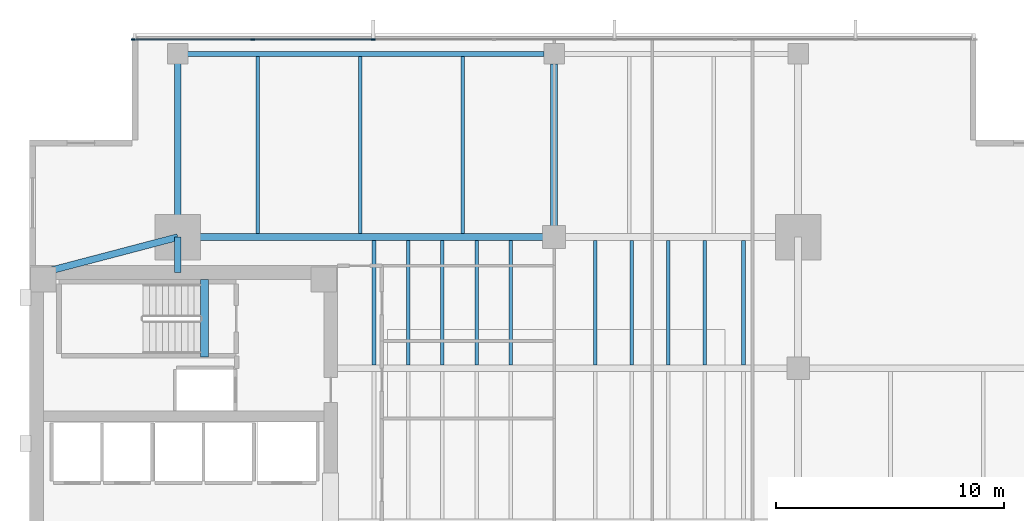
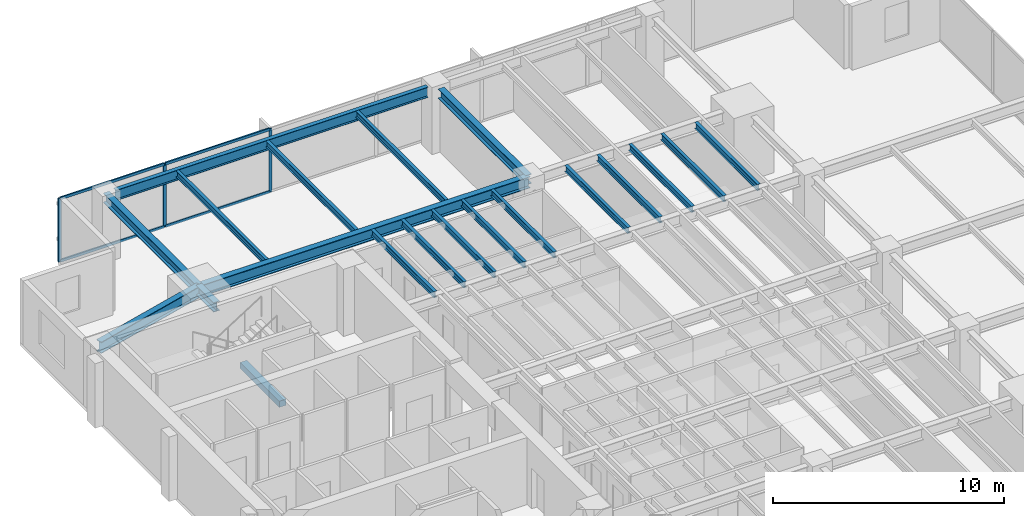
# One storey, part 5 of 14: 20 beams, 7 members, 1 element without a shape of its own.
"""IFC4 building model written with IfcOpenShell, lengths in metres."""

from ifc_helpers import new_model, si_unit, direction, frame, origin, origin_2d, place, context, subcontext, project, spatial, rectangle, i_section, extrude, material, layer, layer_set, material_profile, profile_set, type_object, element, aggregate, save


model = new_model("IFC4")

# Units and contexts
model_context = context("Model", 3, precision=1e-05, world=origin(), true_north=direction((0.0, 1.0)))
body_context = subcontext(model_context, "Body", "Model", "MODEL_VIEW")
ifc_project = project(units=[si_unit("LENGTHUNIT", "METRE"), si_unit("AREAUNIT", "SQUARE_METRE"), si_unit("VOLUMEUNIT", "CUBIC_METRE"), si_unit("PLANEANGLEUNIT", "RADIAN"), si_unit("MASSUNIT", "GRAM", prefix="KILO")], contexts=[model_context])

# Site, building, storey
site_placement = place(None, origin())
site = spatial("IfcSite", under=ifc_project, at=site_placement, CompositionType="ELEMENT")
building_placement = place(site_placement, origin())
building = spatial("IfcBuilding", under=site, at=building_placement, Name="Kinhvarn Gate Tower", CompositionType="ELEMENT")
storey_placement = place(building_placement, frame((0.0, 0.0, 127.10009765625)))
storey = spatial("IfcBuildingStorey", under=building, at=storey_placement, Name="L33", CompositionType="ELEMENT", Elevation=127.10009765625)

# Beam
ifc_material_1 = material(Name="Concrete C50/60", Category="concrete")
ifc_material_profile_1 = material_profile(ifc_material_1, rectangle(XDim=0.340087890625, YDim=0.320068359375, at=origin_2d()), Name="RC 340x320")
ifc_profile_set_1 = profile_set([ifc_material_profile_1], Name="Concrete C50/60")
beam_type_1 = type_object("IfcBeamType", Name="BM-LND-500", PredefinedType="BEAM", material=ifc_profile_set_1)
beam_1_placement = place(storey_placement, frame((12.1650390625, 32.5, -0.16015625), z_axis=(0.0, 1.0, 0.0), x_axis=(-1.0, 0.0, 0.0)))
element("IfcBeam", 1, at=beam_1_placement, inside=storey, type_object=beam_type_1, Name="Stair ST2 Landing Nosing Beam (L33)", PredefinedType="BEAM", context=body_context, shape_type="SweptSolid", body=[
    extrude(rectangle(XDim=0.340087890625, YDim=0.320068359375, at=origin_2d()), origin(), (0.0, 0.0, 1.0), 3.39990234375),
])

# Curtain wall, members
ifc_material_2 = material(Name="Anodised aluminium AW-6063", Category="aluminium")
ifc_layer = layer(ifc_material_2, 0.179931640625)
ifc_layer_set = layer_set([ifc_layer], Name="Anodised aluminium AW-6063")
curtain_wall_type = type_object("IfcCurtainWallType", Name="CW-SYS-3", PredefinedType="NOTDEFINED", material=ifc_layer_set)
curtain_wall_placement = place(storey_placement, origin())
curtain_wall = element("IfcCurtainWall", 2, at=curtain_wall_placement, inside=storey, type_object=curtain_wall_type, Name="Curtain Wall CW3 (L33)", PredefinedType="NOTDEFINED")
ifc_material_profile_2 = material_profile(ifc_material_2, rectangle(XDim=0.06494140625, YDim=0.159912109375, at=origin_2d()), Name="ALU 65x160")
ifc_profile_set_2 = profile_set([ifc_material_profile_2], Name="Anodised aluminium AW-6063")
member_type_1 = type_object("IfcMemberType", Name="CW-MUL-160", PredefinedType="MULLION", material=ifc_profile_set_2)
member_1_placement = place(storey_placement, frame((19.571533203125, 46.409912109375, 0.0), z_axis=(0.0, 0.0, 1.0), x_axis=(0.0, -1.0, 0.0)))
member_1 = element("IfcMember", 3, at=member_1_placement, type_object=member_type_1, Name="CW3 mullion 6", PredefinedType="MULLION", context=body_context, shape_type="SweptSolid", body=[
    extrude(rectangle(XDim=0.06494140625, YDim=0.159912109375, at=origin_2d()), origin(), (0.0, 0.0, 1.0), 3.369873046875),
])
member_2_placement = place(storey_placement, frame((14.28564453125, 46.409912109375, 0.0), z_axis=(0.0, 0.0, 1.0), x_axis=(0.0, -1.0, 0.0)))
member_2 = element("IfcMember", 4, at=member_2_placement, type_object=member_type_1, Name="CW3 mullion 7", PredefinedType="MULLION", context=body_context, shape_type="SweptSolid", body=[
    extrude(rectangle(XDim=0.06494140625, YDim=0.159912109375, at=origin_2d()), origin(), (0.0, 0.0, 1.0), 3.369873046875),
])
member_3_placement = place(storey_placement, frame((9.032470703125, 46.409912109375, 0.0), z_axis=(0.0, 0.0, 1.0), x_axis=(0.0, -1.0, 0.0)))
member_3 = element("IfcMember", 5, at=member_3_placement, type_object=member_type_1, Name="CW3 mullion 8", PredefinedType="MULLION", context=body_context, shape_type="SweptSolid", body=[
    extrude(rectangle(XDim=0.06494140625, YDim=0.159912109375, at=origin_2d()), origin(), (0.0, 0.0, 1.0), 3.369873046875),
])
ifc_material_profile_3 = material_profile(ifc_material_2, rectangle(XDim=0.070068359375, YDim=0.139892578125, at=origin_2d()), Name="ALU 70x140")
ifc_profile_set_3 = profile_set([ifc_material_profile_3], Name="Anodised aluminium AW-6063")
member_type_2 = type_object("IfcMemberType", Name="CW-TRN-140", PredefinedType="USERDEFINED", material=ifc_profile_set_3)
member_4_placement = place(storey_placement, frame((19.538818359375, 46.409912109375, 0.034912109375), z_axis=(-1.0, 0.0, 0.0), x_axis=(0.0, -1.0, 0.0)))
member_4 = element("IfcMember", 6, at=member_4_placement, type_object=member_type_2, Name="CW3 transom 6.1", ObjectType="TRANSOM", PredefinedType="USERDEFINED", context=body_context, shape_type="SweptSolid", body=[
    extrude(rectangle(XDim=0.070068359375, YDim=0.139892578125, at=origin_2d()), origin(), (0.0, 0.0, 1.0), 5.220703125),
])
member_5_placement = place(storey_placement, frame((19.538818359375, 46.409912109375, 3.3349609375), z_axis=(-1.0, 0.0, 0.0), x_axis=(0.0, -1.0, 0.0)))
member_5 = element("IfcMember", 7, at=member_5_placement, type_object=member_type_2, Name="CW3 transom 6.2", ObjectType="TRANSOM", PredefinedType="USERDEFINED", context=body_context, shape_type="SweptSolid", body=[
    extrude(rectangle(XDim=0.070068359375, YDim=0.139892578125, at=origin_2d()), origin(), (0.0, 0.0, 1.0), 5.220703125),
])
member_6_placement = place(storey_placement, frame((14.253173828125, 46.409912109375, 0.034912109375), z_axis=(-1.0, 0.0, 0.0), x_axis=(0.0, -1.0, 0.0)))
member_6 = element("IfcMember", 8, at=member_6_placement, type_object=member_type_2, Name="CW3 transom 7.1", ObjectType="TRANSOM", PredefinedType="USERDEFINED", context=body_context, shape_type="SweptSolid", body=[
    extrude(rectangle(XDim=0.070068359375, YDim=0.139892578125, at=origin_2d()), origin(), (0.0, 0.0, 1.0), 5.188232421875),
])
member_7_placement = place(storey_placement, frame((14.253173828125, 46.409912109375, 3.3349609375), z_axis=(-1.0, 0.0, 0.0), x_axis=(0.0, -1.0, 0.0)))
member_7 = element("IfcMember", 9, at=member_7_placement, type_object=member_type_2, Name="CW3 transom 7.2", ObjectType="TRANSOM", PredefinedType="USERDEFINED", context=body_context, shape_type="SweptSolid", body=[
    extrude(rectangle(XDim=0.070068359375, YDim=0.139892578125, at=origin_2d()), origin(), (0.0, 0.0, 1.0), 5.188232421875),
])
aggregate(curtain_wall, [member_1, member_2, member_3, member_4, member_5, member_6, member_7])

# Beams
ifc_material_3 = material(Name="Steel S355", Category="steel")
ifc_material_profile_4 = material_profile(ifc_material_3, i_section(OverallWidth=0.300048828125, OverallDepth=0.5, WebThickness=0.014404296875, FlangeThickness=0.028076171875, at=origin_2d()), Name="HEB 500")
ifc_profile_set_4 = profile_set([ifc_material_profile_4], Name="Steel S355")
beam_type_2 = type_object("IfcBeamType", Name="STL-HEB500", PredefinedType="BEAM", material=ifc_profile_set_4)
beam_2_placement = place(storey_placement, frame((11.0, 36.199951171875, 3.119873046875), z_axis=(0.0, 1.0, 0.0), x_axis=(-1.0, 0.0, 0.0)))
element("IfcBeam", 10, at=beam_2_placement, inside=storey, type_object=beam_type_2, Name="Floor Beam PG-14 (L33 MCW-CN)", PredefinedType="BEAM", context=body_context, shape_type="SweptSolid", body=[
    extrude(i_section(OverallWidth=0.300048828125, OverallDepth=0.5, WebThickness=0.014404296875, FlangeThickness=0.028076171875, at=origin_2d()), origin(), (0.0, 0.0, 1.0), 1.550048828125),
])
beam_3_placement = place(storey_placement, frame((11.0, 37.75, 3.119873046875), z_axis=(0.0, 1.0, 0.0), x_axis=(-1.0, 0.0, 0.0)))
element("IfcBeam", 11, at=beam_3_placement, inside=storey, type_object=beam_type_2, Name="Floor Beam PG-14 (L33 MCW-N)", PredefinedType="BEAM", context=body_context, shape_type="SweptSolid", body=[
    extrude(i_section(OverallWidth=0.300048828125, OverallDepth=0.5, WebThickness=0.014404296875, FlangeThickness=0.028076171875, at=origin_2d()), origin(), (0.0, 0.0, 1.0), 8.030029296875),
])
beam_4_placement = place(storey_placement, frame((27.5, 37.75, 3.119873046875), z_axis=(0.0, 1.0, 0.0), x_axis=(-1.0, 0.0, 0.0)))
element("IfcBeam", 12, at=beam_4_placement, inside=storey, type_object=beam_type_2, Name="Floor Beam PG-14 (L33 SP27-N-TIE)", PredefinedType="BEAM", context=body_context, shape_type="SweptSolid", body=[
    extrude(i_section(OverallWidth=0.300048828125, OverallDepth=0.5, WebThickness=0.014404296875, FlangeThickness=0.028076171875, at=origin_2d()), origin(), (0.0, 0.0, 1.0), 7.594970703125),
])
ifc_material_profile_5 = material_profile(ifc_material_3, i_section(OverallWidth=0.300048828125, OverallDepth=0.60009765625, WebThickness=0.015380859375, FlangeThickness=0.030029296875, at=origin_2d()), Name="HEB 600")
ifc_profile_set_5 = profile_set([ifc_material_profile_5], Name="Steel S355")
beam_type_3 = type_object("IfcBeamType", Name="STL-HEB600", PredefinedType="BEAM", material=ifc_profile_set_5)
beam_5_placement = place(storey_placement, frame((11.0, 37.75, 3.06982421875), z_axis=(1.0, 0.0, 0.0), x_axis=(0.0, 1.0, 0.0)))
element("IfcBeam", 13, at=beam_5_placement, inside=storey, type_object=beam_type_3, Name="Floor Beam PG-16 (L33 MG-N1)", PredefinedType="BEAM", context=body_context, shape_type="SweptSolid", body=[
    extrude(i_section(OverallWidth=0.300048828125, OverallDepth=0.60009765625, WebThickness=0.015380859375, FlangeThickness=0.030029296875, at=origin_2d()), origin(), (0.0, 0.0, 1.0), 16.5),
])
beam_6_placement = place(storey_placement, frame((5.10009765625, 36.199951171875, 3.06982421875), z_axis=(0.967177623957, 0.254101246979, 0.0), x_axis=(-0.254101246979, 0.967177623957, 0.0)))
element("IfcBeam", 14, at=beam_6_placement, inside=storey, type_object=beam_type_3, Name="Floor Beam PG-16 (L33 MG-NW-DIAG)", PredefinedType="BEAM", context=body_context, shape_type="SweptSolid", body=[
    extrude(i_section(OverallWidth=0.300048828125, OverallDepth=0.60009765625, WebThickness=0.015380859375, FlangeThickness=0.030029296875, at=origin_2d()), origin(), (0.0, 0.0, 1.0), 6.10009765625),
])
ifc_material_profile_6 = material_profile(ifc_material_3, i_section(OverallWidth=0.159912109375, OverallDepth=0.330078125, WebThickness=0.007568359375, FlangeThickness=0.011474609375, at=origin_2d()), Name="IPE 330")
ifc_profile_set_6 = profile_set([ifc_material_profile_6], Name="Steel S355")
beam_type_4 = type_object("IfcBeamType", Name="STL-IPE330", PredefinedType="JOIST", material=ifc_profile_set_6)
for number, where, z_axis, x_axis, name in (
    (15, (19.60009765625, 32.14990234375, 3.204833984375), (0.0, 1.0, 0.0), (-1.0, 0.0, 0.0), "Floor Joist SB-03 (L33 JC-X196-3)"),
    (16, (21.10009765625, 32.14990234375, 3.204833984375), (0.0, 1.0, 0.0), (-1.0, 0.0, 0.0), "Floor Joist SB-03 (L33 JC-X211-3)"),
    (17, (22.60009765625, 32.14990234375, 3.204833984375), (0.0, 1.0, 0.0), (-1.0, 0.0, 0.0), "Floor Joist SB-03 (L33 JC-X226-3)"),
    (18, (24.10009765625, 32.14990234375, 3.204833984375), (0.0, 1.0, 0.0), (-1.0, 0.0, 0.0), "Floor Joist SB-03 (L33 JC-X241-3)"),
    (19, (25.60009765625, 32.14990234375, 3.204833984375), (0.0, 1.0, 0.0), (-1.0, 0.0, 0.0), "Floor Joist SB-03 (L33 JC-X256-3)"),
    (20, (29.300048828125, 32.14990234375, 3.204833984375), (0.0, 1.0, 0.0), (-1.0, 0.0, 0.0), "Floor Joist SB-03 (L33 JC-X293-3)"),
    (21, (30.89990234375, 32.14990234375, 3.204833984375), (0.0, 1.0, 0.0), (-1.0, 0.0, 0.0), "Floor Joist SB-03 (L33 JC-X309-3)"),
    (22, (32.5, 32.14990234375, 3.204833984375), (0.0, 1.0, 0.0), (-1.0, 0.0, 0.0), "Floor Joist SB-03 (L33 JC-X325-3)"),
    (23, (34.10009765625, 32.14990234375, 3.204833984375), (0.0, 1.0, 0.0), (-1.0, 0.0, 0.0), "Floor Joist SB-03 (L33 JC-X341-3)"),
    (24, (35.800048828125, 32.14990234375, 3.204833984375), (0.0, 1.0, 0.0), (-1.0, 0.0, 0.0), "Floor Joist SB-03 (L33 JC-X358-3)"),
):
    element("IfcBeam", number, at=place(storey_placement, frame(where, z_axis=z_axis, x_axis=x_axis)), inside=storey, type_object=beam_type_4, Name=name, PredefinedType="JOIST", context=body_context, shape_type="SweptSolid", body=[
        extrude(i_section(OverallWidth=0.159912109375, OverallDepth=0.330078125, WebThickness=0.007568359375, FlangeThickness=0.011474609375, at=origin_2d()), origin(), (0.0, 0.0, 1.0), 5.4501953125),
    ])
for number, where, z_axis, x_axis, name in (
    (25, (14.5, 37.89990234375, 3.204833984375), (0.0, 1.0, 0.0), (-1.0, 0.0, 0.0), "Floor Joist SB-03 (L33 JN-X145)"),
    (26, (19.0, 37.89990234375, 3.204833984375), (0.0, 1.0, 0.0), (-1.0, 0.0, 0.0), "Floor Joist SB-03 (L33 JN-X190)"),
    (27, (23.5, 37.89990234375, 3.204833984375), (0.0, 1.0, 0.0), (-1.0, 0.0, 0.0), "Floor Joist SB-03 (L33 JN-X235)"),
):
    element("IfcBeam", number, at=place(storey_placement, frame(where, z_axis=z_axis, x_axis=x_axis)), inside=storey, type_object=beam_type_4, Name=name, PredefinedType="JOIST", context=body_context, shape_type="SweptSolid", body=[
        extrude(i_section(OverallWidth=0.159912109375, OverallDepth=0.330078125, WebThickness=0.007568359375, FlangeThickness=0.011474609375, at=origin_2d()), origin(), (0.0, 0.0, 1.0), 7.775146484375),
    ])
ifc_material_profile_7 = material_profile(ifc_material_3, i_section(OverallWidth=0.2099609375, OverallDepth=0.550048828125, WebThickness=0.010986328125, FlangeThickness=0.01708984375, at=origin_2d()), Name="IPE 550")
ifc_profile_set_7 = profile_set([ifc_material_profile_7], Name="Steel S355")
beam_type_5 = type_object("IfcBeamType", Name="STL-IPE550", PredefinedType="SPANDREL", material=ifc_profile_set_7)
beam_7_placement = place(storey_placement, frame((11.43505859375, 45.780029296875, 3.094970703125), z_axis=(1.0, 0.0, 0.0), x_axis=(0.0, 1.0, 0.0)))
element("IfcBeam", 28, at=beam_7_placement, inside=storey, type_object=beam_type_5, Name="Floor Spandrel SB-08 (L33 SP-N1)", PredefinedType="SPANDREL", context=body_context, shape_type="SweptSolid", body=[
    extrude(i_section(OverallWidth=0.2099609375, OverallDepth=0.550048828125, WebThickness=0.010986328125, FlangeThickness=0.01708984375, at=origin_2d()), origin(), (0.0, 0.0, 1.0), 15.6298828125),
])

save(model, "model.ifc")
